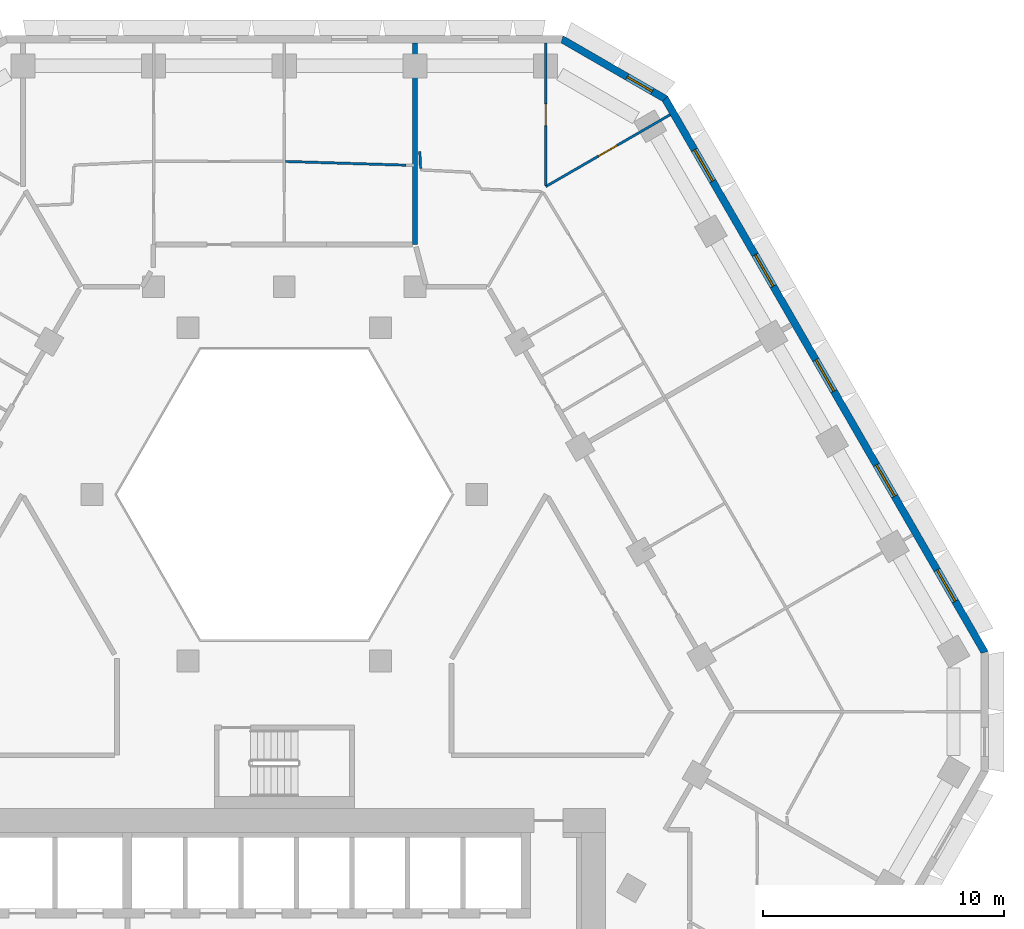
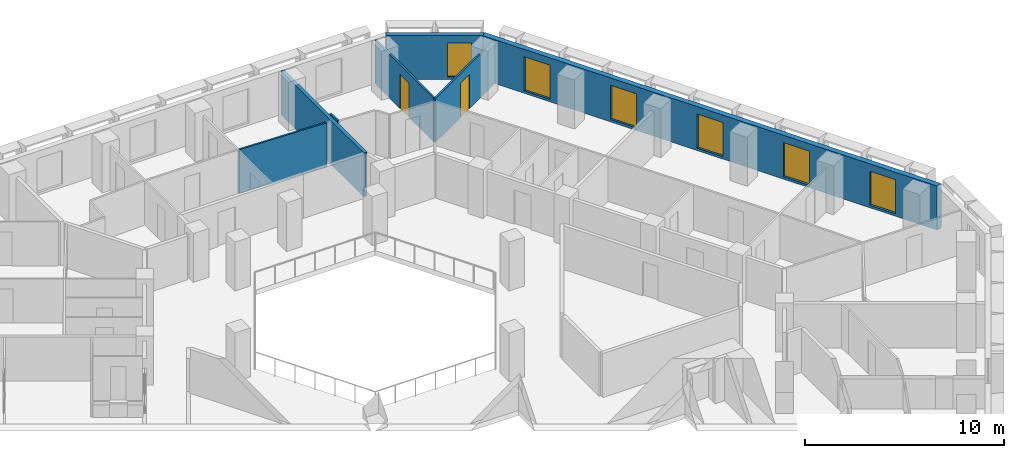
# One storey, part 10 of 16: 7 walls, 6 windows, 2 doors, 8 openings.
"""IFC4 building model written with IfcOpenShell, lengths in metres."""

from ifc_helpers import new_model, si_unit, direction, frame, frame_2d, origin, place, context, subcontext, project, spatial, polyline, rectangle, outline, extrude, material, layer, layer_set, type_object, element, fill, save


model = new_model("IFC4")

# Units and contexts
model_context = context("Model", 3, precision=1e-05, world=origin(), true_north=direction((0.0, 1.0)))
body_context = subcontext(model_context, "Body", "Model", "MODEL_VIEW")
ifc_project = project(units=[si_unit("LENGTHUNIT", "METRE"), si_unit("AREAUNIT", "SQUARE_METRE"), si_unit("VOLUMEUNIT", "CUBIC_METRE"), si_unit("PLANEANGLEUNIT", "RADIAN"), si_unit("MASSUNIT", "GRAM", prefix="KILO")], contexts=[model_context])

# Site, building, storey
site_placement = place(None, origin())
site = spatial("IfcSite", under=ifc_project, at=site_placement, CompositionType="ELEMENT")
building_placement = place(site_placement, origin())
building = spatial("IfcBuilding", under=site, at=building_placement, Name="Beryl Residences", CompositionType="ELEMENT")
storey_placement = place(building_placement, frame((0.0, 0.0, 90.0)))
storey = spatial("IfcBuildingStorey", under=building, at=storey_placement, Name="L27", CompositionType="ELEMENT", Elevation=90.0)

# Wall, openings, windows
ifc_material_1 = material(Name="Composite metal panel with mineral wool insulation")
ifc_layer_1 = layer(ifc_material_1, 0.300048828125)
ifc_layer_set_1 = layer_set([ifc_layer_1], Name="ES1 pale metal composite panel wall 300 mm")
wall_type_1 = type_object("IfcWallType", Name="ES1 pale metal composite panel wall 300 mm", PredefinedType="SOLIDWALL", material=ifc_layer_set_1)
wall_1_placement = place(storey_placement, frame((29.027099609375, 1.425048828125, 0.0), z_axis=(0.0, 0.0, 1.0), x_axis=(-0.500027479704, 0.866009537788, 0.0)))
wall_1 = element("IfcWall", 1, at=wall_1_placement, inside=storey, type_object=wall_type_1, Name="ES1 external wall L27 NE", PredefinedType="SOLIDWALL", context=body_context, shape_type="SweptSolid", body=[
    extrude(outline(polyline([(0.0, -0.14990234375), (26.55859375, -0.14990234375), (26.478271484375, 0.14990234375), (0.080322265625, 0.14990234375), (0.0, -0.14990234375)])), origin(), (0.0, 0.0, 1.0), 2.699951171875),
])
opening_1_placement = place(wall_1_placement, frame((2.48291015625, 0.0, 0.14990234375)))
opening_1 = element("IfcOpeningElement", 2, at=opening_1_placement, cuts=wall_1, Name="Opening W1", PredefinedType="OPENING", context=body_context, shape_type="SweptSolid", body=[
    extrude(rectangle(XDim=1.5, YDim=2.10009765625, at=frame_2d((0.75, 1.050048828125))), frame((0.0, 0.159912109375, 0.0), z_axis=(0.0, -1.0, 0.0), x_axis=(1.0, 0.0, 0.0)), (0.0, 0.0, 1.0), 0.320068359375),
])
opening_2_placement = place(wall_1_placement, frame((7.506103515625, 0.0, 0.14990234375)))
opening_2 = element("IfcOpeningElement", 3, at=opening_2_placement, cuts=wall_1, Name="Opening W1", PredefinedType="OPENING", context=body_context, shape_type="SweptSolid", body=[
    extrude(rectangle(XDim=1.5, YDim=2.10009765625, at=frame_2d((0.75, 1.050048828125))), frame((0.0, 0.159912109375, 0.0), z_axis=(0.0, -1.0, 0.0), x_axis=(1.0, 0.0, 0.0)), (0.0, 0.0, 1.0), 0.320068359375),
])
opening_3_placement = place(wall_1_placement, frame((12.529052734375, 0.0, 0.14990234375)))
opening_3 = element("IfcOpeningElement", 4, at=opening_3_placement, cuts=wall_1, Name="Opening W1", PredefinedType="OPENING", context=body_context, shape_type="SweptSolid", body=[
    extrude(rectangle(XDim=1.5, YDim=2.10009765625, at=frame_2d((0.75, 1.050048828125))), frame((0.0, 0.159912109375, 0.0), z_axis=(0.0, -1.0, 0.0), x_axis=(1.0, 0.0, 0.0)), (0.0, 0.0, 1.0), 0.320068359375),
])
opening_4_placement = place(wall_1_placement, frame((17.552001953125, 0.0, 0.14990234375)))
opening_4 = element("IfcOpeningElement", 5, at=opening_4_placement, cuts=wall_1, Name="Opening W1", PredefinedType="OPENING", context=body_context, shape_type="SweptSolid", body=[
    extrude(rectangle(XDim=1.5, YDim=2.10009765625, at=frame_2d((0.75, 1.050048828125))), frame((0.0, 0.159912109375, 0.0), z_axis=(0.0, -1.0, 0.0), x_axis=(1.0, 0.0, 0.0)), (0.0, 0.0, 1.0), 0.320068359375),
])
opening_5_placement = place(wall_1_placement, frame((22.574951171875, 0.0, 0.14990234375)))
opening_5 = element("IfcOpeningElement", 6, at=opening_5_placement, cuts=wall_1, Name="Opening W1", PredefinedType="OPENING", context=body_context, shape_type="SweptSolid", body=[
    extrude(rectangle(XDim=1.5, YDim=2.10009765625, at=frame_2d((0.75, 1.050048828125))), frame((0.0, 0.159912109375, 0.0), z_axis=(0.0, -1.0, 0.0), x_axis=(1.0, 0.0, 0.0)), (0.0, 0.0, 1.0), 0.320068359375),
])
ifc_material_2 = material(Name="Aluminium and clear glass", Category="aluminium")
window_type_1 = type_object("IfcWindowType", Name="W1 cell window 1500 x 2100 mm", PartitioningType="SINGLE_PANEL", PredefinedType="WINDOW", material=ifc_material_2)
window_1_placement = place(opening_1_placement, origin())
window_1 = element("IfcWindow", 7, at=window_1_placement, inside=storey, type_object=window_type_1, Name="W1 window L27 NE 2", OverallHeight=2.10009765625, OverallWidth=1.5, PartitioningType="SINGLE_PANEL", PredefinedType="WINDOW", context=body_context, shape_type="SweptSolid", body=[
    extrude(rectangle(XDim=1.5, YDim=2.10009765625, at=frame_2d((0.75, 1.050048828125))), frame((0.0, 0.030029296875, 0.0), z_axis=(0.0, -1.0, 0.0), x_axis=(1.0, 0.0, 0.0)), (0.0, 0.0, 1.0), 0.06005859375),
])
fill(opening_1, window_1)
window_2_placement = place(opening_2_placement, origin())
window_2 = element("IfcWindow", 8, at=window_2_placement, inside=storey, type_object=window_type_1, Name="W1 window L27 NE 4", OverallHeight=2.10009765625, OverallWidth=1.5, PartitioningType="SINGLE_PANEL", PredefinedType="WINDOW", context=body_context, shape_type="SweptSolid", body=[
    extrude(rectangle(XDim=1.5, YDim=2.10009765625, at=frame_2d((0.75, 1.050048828125))), frame((0.0, 0.030029296875, 0.0), z_axis=(0.0, -1.0, 0.0), x_axis=(1.0, 0.0, 0.0)), (0.0, 0.0, 1.0), 0.06005859375),
])
fill(opening_2, window_2)
window_3_placement = place(opening_3_placement, origin())
window_3 = element("IfcWindow", 9, at=window_3_placement, inside=storey, type_object=window_type_1, Name="W1 window L27 NE 6", OverallHeight=2.10009765625, OverallWidth=1.5, PartitioningType="SINGLE_PANEL", PredefinedType="WINDOW", context=body_context, shape_type="SweptSolid", body=[
    extrude(rectangle(XDim=1.5, YDim=2.10009765625, at=frame_2d((0.75, 1.050048828125))), frame((0.0, 0.030029296875, 0.0), z_axis=(0.0, -1.0, 0.0), x_axis=(1.0, 0.0, 0.0)), (0.0, 0.0, 1.0), 0.06005859375),
])
fill(opening_3, window_3)
window_4_placement = place(opening_4_placement, origin())
window_4 = element("IfcWindow", 10, at=window_4_placement, inside=storey, type_object=window_type_1, Name="W1 window L27 NE 8", OverallHeight=2.10009765625, OverallWidth=1.5, PartitioningType="SINGLE_PANEL", PredefinedType="WINDOW", context=body_context, shape_type="SweptSolid", body=[
    extrude(rectangle(XDim=1.5, YDim=2.10009765625, at=frame_2d((0.75, 1.050048828125))), frame((0.0, 0.030029296875, 0.0), z_axis=(0.0, -1.0, 0.0), x_axis=(1.0, 0.0, 0.0)), (0.0, 0.0, 1.0), 0.06005859375),
])
fill(opening_4, window_4)
window_5_placement = place(opening_5_placement, origin())
window_5 = element("IfcWindow", 11, at=window_5_placement, inside=storey, type_object=window_type_1, Name="W1 window L27 NE 10", OverallHeight=2.10009765625, OverallWidth=1.5, PartitioningType="SINGLE_PANEL", PredefinedType="WINDOW", context=body_context, shape_type="SweptSolid", body=[
    extrude(rectangle(XDim=1.5, YDim=2.10009765625, at=frame_2d((0.75, 1.050048828125))), frame((0.0, 0.030029296875, 0.0), z_axis=(0.0, -1.0, 0.0), x_axis=(1.0, 0.0, 0.0)), (0.0, 0.0, 1.0), 0.06005859375),
])
fill(opening_5, window_5)

# Wall, opening, window
wall_2_placement = place(storey_placement, frame((15.802001953125, 24.3701171875, 0.0), z_axis=(0.0, 0.0, 1.0), x_axis=(-0.866022959057, 0.500004234368, 0.0)))
wall_2 = element("IfcWall", 12, at=wall_2_placement, inside=storey, type_object=wall_type_1, Name="ES1 external wall L27 NE-N", PredefinedType="SOLIDWALL", context=body_context, shape_type="SweptSolid", body=[
    extrude(outline(polyline([(0.0, -0.14990234375), (5.0, -0.14990234375), (4.919677734375, 0.14990234375), (0.080322265625, 0.14990234375), (0.0, -0.14990234375)])), origin(), (0.0, 0.0, 1.0), 2.699951171875),
])
opening_6_placement = place(wall_2_placement, frame((0.64990234375, 0.0, 0.14990234375)))
opening_6 = element("IfcOpeningElement", 13, at=opening_6_placement, cuts=wall_2, Name="Opening W2", PredefinedType="OPENING", context=body_context, shape_type="SweptSolid", body=[
    extrude(rectangle(XDim=1.199951171875, YDim=2.10009765625, at=frame_2d((0.60009765625, 1.050048828125))), frame((0.0, 0.159912109375, 0.0), z_axis=(0.0, -1.0, 0.0), x_axis=(1.0, 0.0, 0.0)), (0.0, 0.0, 1.0), 0.320068359375),
])
ifc_material_3 = material(Name="Aluminium and clear glass", Category="aluminium")
window_type_2 = type_object("IfcWindowType", Name="W2 chamfer window 1200 x 2100 mm", PartitioningType="SINGLE_PANEL", PredefinedType="WINDOW", material=ifc_material_3)
window_6_placement = place(opening_6_placement, origin())
window_6 = element("IfcWindow", 14, at=window_6_placement, inside=storey, type_object=window_type_2, Name="W2 window L27 NE-N 1", OverallHeight=2.10009765625, OverallWidth=1.199951171875, PartitioningType="SINGLE_PANEL", PredefinedType="WINDOW", context=body_context, shape_type="SweptSolid", body=[
    extrude(rectangle(XDim=1.199951171875, YDim=2.10009765625, at=frame_2d((0.60009765625, 1.050048828125))), frame((0.0, 0.030029296875, 0.0), z_axis=(0.0, -1.0, 0.0), x_axis=(1.0, 0.0, 0.0)), (0.0, 0.0, 1.0), 0.06005859375),
])
fill(opening_6, window_6)

# Walls
ifc_material_4 = material(Name="Gypsum board partition on steel studs", Category="steel")
ifc_layer_2 = layer(ifc_material_4, 0.10009765625)
ifc_layer_set_2 = layer_set([ifc_layer_2], Name="PT1 partition 100 mm gypsum board on steel studs")
wall_type_2 = type_object("IfcWallType", Name="PT1 partition 100 mm gypsum board on steel studs", PredefinedType="PARTITIONING", material=ifc_layer_set_2)
wall_3_placement = place(storey_placement, frame((5.611083984375, 22.2119140625, 0.0), z_axis=(0.0, 0.0, 1.0), x_axis=(0.048368650834, -0.998829551834, 0.0)))
element("IfcWall", 15, at=wall_3_placement, inside=storey, type_object=wall_type_2, Name="Wall PT1 L27 007", PredefinedType="PARTITIONING", context=body_context, shape_type="SweptSolid", body=[
    extrude(rectangle(XDim=0.7216796875, YDim=0.10009765625, at=frame_2d((0.36083984375, 0.0))), origin(), (0.0, 0.0, 1.0), 2.699951171875),
])
wall_4_placement = place(storey_placement, frame((0.049072265625, 21.7919921875, 0.0), z_axis=(0.0, 0.0, 1.0), x_axis=(0.999517123417, -0.031072817652, 0.0)))
element("IfcWall", 16, at=wall_4_placement, inside=storey, type_object=wall_type_2, Name="Wall PT1 L27 014", PredefinedType="PARTITIONING", context=body_context, shape_type="SweptSolid", body=[
    extrude(rectangle(XDim=4.9892578125, YDim=0.10009765625, at=frame_2d((2.49462890625, 0.0))), origin(), (0.0, 0.0, 1.0), 2.699951171875),
])

# Wall, opening, door
wall_5_placement = place(storey_placement, frame((10.824951171875, 20.805908203125, 0.0), z_axis=(0.0, 0.0, 1.0), x_axis=(0.0, 1.0, 0.0)))
wall_5 = element("IfcWall", 17, at=wall_5_placement, inside=storey, type_object=wall_type_2, Name="Wall PT1 L27 049", PredefinedType="PARTITIONING", context=body_context, shape_type="SweptSolid", body=[
    extrude(rectangle(XDim=5.89404296875, YDim=0.10009765625, at=frame_2d((2.947021484375, 0.0))), origin(), (0.0, 0.0, 1.0), 2.699951171875),
])
opening_7_placement = place(wall_5_placement, frame((2.468017578125, 0.0, 0.0)))
opening_7 = element("IfcOpeningElement", 18, at=opening_7_placement, cuts=wall_5, Name="Opening D0929", PredefinedType="OPENING", context=body_context, shape_type="SweptSolid", body=[
    extrude(rectangle(XDim=0.89990234375, YDim=2.10009765625, at=frame_2d((0.449951171875, 1.050048828125))), frame((0.0, 0.06005859375, 0.0), z_axis=(0.0, -1.0, 0.0), x_axis=(1.0, 0.0, 0.0)), (0.0, 0.0, 1.0), 0.1201171875),
])
ifc_material_5 = material(Name="Timber door leaf", Category="wood")
door_type = type_object("IfcDoorType", Name="D2 room door 900 x 2100 mm", OperationType="SINGLE_SWING_LEFT", PredefinedType="DOOR", material=ifc_material_5)
door_1_placement = place(opening_7_placement, origin())
door_1 = element("IfcDoor", 19, at=door_1_placement, inside=storey, type_object=door_type, Name="Door D0929 L27 001", OperationType="SINGLE_SWING_LEFT", OverallHeight=2.10009765625, OverallWidth=0.89990234375, PredefinedType="DOOR", context=body_context, shape_type="SweptSolid", body=[
    extrude(rectangle(XDim=0.89990234375, YDim=2.10009765625, at=frame_2d((0.449951171875, 1.050048828125))), frame((0.0, 0.02490234375, 0.0), z_axis=(0.0, -1.0, 0.0), x_axis=(1.0, 0.0, 0.0)), (0.0, 0.0, 1.0), 0.050048828125),
])
fill(opening_7, door_1)

wall_6_placement = place(storey_placement, frame((10.825927734375, 20.75, 0.0), z_axis=(0.0, 0.0, 1.0), x_axis=(0.865986712877, 0.50006700863, 0.0)))
wall_6 = element("IfcWall", 20, at=wall_6_placement, inside=storey, type_object=wall_type_2, Name="Wall PT1 L27 066", PredefinedType="PARTITIONING", context=body_context, shape_type="SweptSolid", body=[
    extrude(rectangle(XDim=5.949462890625, YDim=0.10009765625, at=frame_2d((2.974609375, 0.0))), origin(), (0.0, 0.0, 1.0), 2.699951171875),
])
opening_8_placement = place(wall_6_placement, frame((2.52392578125, 0.0, 0.0)))
opening_8 = element("IfcOpeningElement", 21, at=opening_8_placement, cuts=wall_6, Name="Opening D0927", PredefinedType="OPENING", context=body_context, shape_type="SweptSolid", body=[
    extrude(rectangle(XDim=0.89990234375, YDim=2.10009765625, at=frame_2d((0.449951171875, 1.050048828125))), frame((0.0, 0.06005859375, 0.0), z_axis=(0.0, -1.0, 0.0), x_axis=(1.0, 0.0, 0.0)), (0.0, 0.0, 1.0), 0.1201171875),
])
door_2_placement = place(opening_8_placement, origin())
door_2 = element("IfcDoor", 22, at=door_2_placement, inside=storey, type_object=door_type, Name="Door D0927 L27 001", OperationType="SINGLE_SWING_LEFT", OverallHeight=2.10009765625, OverallWidth=0.89990234375, PredefinedType="DOOR", context=body_context, shape_type="SweptSolid", body=[
    extrude(rectangle(XDim=0.89990234375, YDim=2.10009765625, at=frame_2d((0.449951171875, 1.050048828125))), frame((0.0, 0.02490234375, 0.0), z_axis=(0.0, -1.0, 0.0), x_axis=(1.0, 0.0, 0.0)), (0.0, 0.0, 1.0), 0.050048828125),
])
fill(opening_8, door_2)

# Wall
ifc_material_6 = material(Name="Acoustic double stud gypsum board wall")
ifc_layer_3 = layer(ifc_material_6, 0.199951171875)
ifc_layer_set_3 = layer_set([ifc_layer_3], Name="PT3 party wall 200 mm acoustic double stud")
wall_type_3 = type_object("IfcWallType", Name="PT3 party wall 200 mm acoustic double stud", PredefinedType="PARTITIONING", material=ifc_layer_set_3)
wall_7_placement = place(storey_placement, frame((5.412109375, 18.34912109375, 0.0), z_axis=(0.0, 0.0, 1.0), x_axis=(0.0, 1.0, 0.0)))
element("IfcWall", 23, at=wall_7_placement, inside=storey, type_object=wall_type_3, Name="Wall PT3 L27 006", PredefinedType="PARTITIONING", context=body_context, shape_type="SweptSolid", body=[
    extrude(rectangle(XDim=8.350830078125, YDim=0.199951171875, at=frame_2d((4.17529296875, 0.0))), origin(), (0.0, 0.0, 1.0), 2.699951171875),
])

save(model, "model.ifc")
